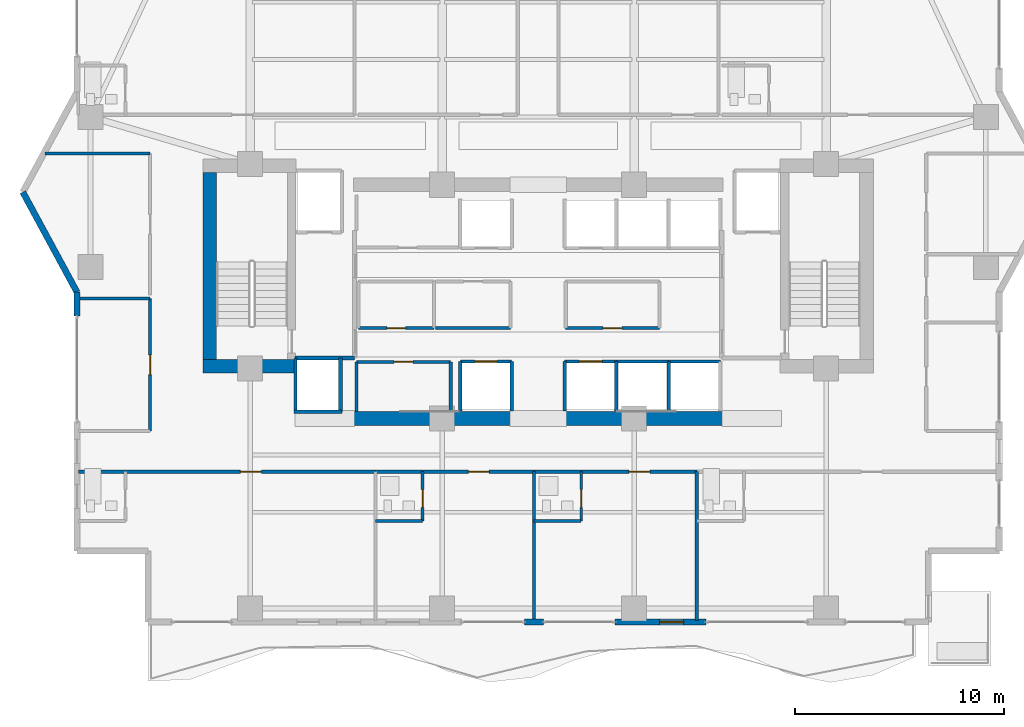
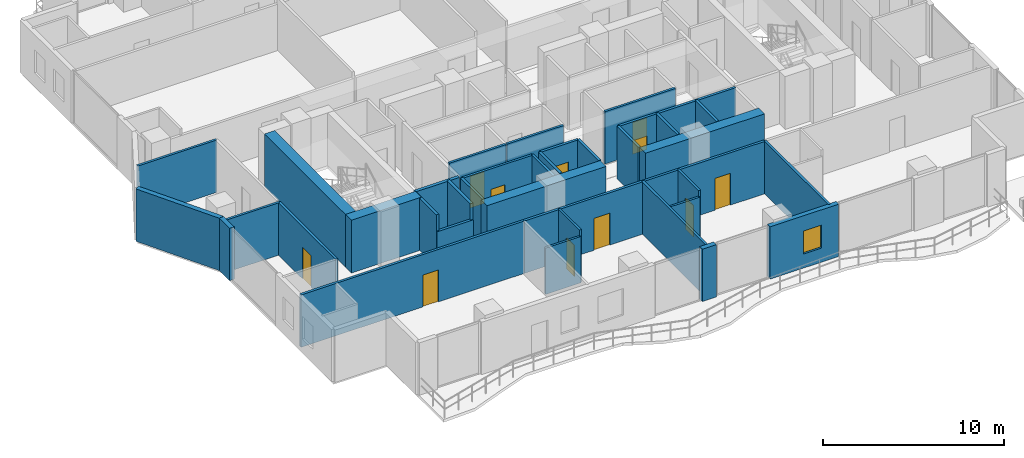
# One storey, part 24 of 32: 39 walls, 11 doors, 1 window, 12 openings.
"""IFC4 building model written with IfcOpenShell, lengths in metres."""

from ifc_helpers import new_model, si_unit, direction, frame, frame_2d, origin, place, context, subcontext, project, spatial, rectangle, extrude, material, layer, layer_set, type_object, element, fill, save


model = new_model("IFC4")

# Units and contexts
model_context = context("Model", 3, precision=1e-05, world=origin(), true_north=direction((0.0, 1.0)))
body_context = subcontext(model_context, "Body", "Model", "MODEL_VIEW")
ifc_project = project(units=[si_unit("LENGTHUNIT", "METRE"), si_unit("AREAUNIT", "SQUARE_METRE"), si_unit("VOLUMEUNIT", "CUBIC_METRE"), si_unit("PLANEANGLEUNIT", "RADIAN"), si_unit("MASSUNIT", "GRAM", prefix="KILO")], contexts=[model_context])

# Site, building, storey
site_placement = place(None, origin())
site = spatial("IfcSite", under=ifc_project, at=site_placement, CompositionType="ELEMENT")
building_placement = place(site_placement, origin())
building = spatial("IfcBuilding", under=site, at=building_placement, Name="Zuhayl Quay Hotel", CompositionType="ELEMENT")
storey_placement = place(building_placement, frame((0.0, 0.0, 203.64990234375)))
storey = spatial("IfcBuildingStorey", under=building, at=storey_placement, Name="L51", CompositionType="ELEMENT", Elevation=203.64990234375)

# Walls
ifc_material_1 = material(Name="Concrete C50/60", Category="concrete")
ifc_layer_1 = layer(ifc_material_1, 0.64990234375, Name="Concrete C50/60", Category="concrete")
ifc_layer_set_1 = layer_set([ifc_layer_1], Name="Concrete C50/60")
wall_type_1 = type_object("IfcWallType", Name="WL_CORE_650", PredefinedType="SHEAR", material=ifc_layer_set_1)
wall_1_placement = place(storey_placement, frame((-15.735107421875, 4.969970703125, 0.0), z_axis=(0.0, 0.0, 1.0), x_axis=(0.0, 1.0, 0.0)))
element("IfcWall", 1, at=wall_1_placement, inside=storey, type_object=wall_type_1, Name="L51 Core Shear Wall CW_W", PredefinedType="SHEAR", context=body_context, shape_type="SweptSolid", body=[
    extrude(rectangle(XDim=8.9599609375, YDim=0.64990234375, at=frame_2d((4.47998046875, 0.0))), origin(), (0.0, 0.0, 1.0), 3.56005859375),
])
wall_2_placement = place(storey_placement, frame((-16.06005859375, 4.64501953125, 0.0), z_axis=(0.0, 0.0, 1.0), x_axis=(1.0, 0.0, 0.0)))
element("IfcWall", 2, at=wall_2_placement, inside=storey, type_object=wall_type_1, Name="L51 Core Shear Wall CW_SW", PredefinedType="SHEAR", context=body_context, shape_type="SweptSolid", body=[
    extrude(rectangle(XDim=4.4599609375, YDim=0.64990234375, at=frame_2d((2.22998046875, 0.0))), origin(), (0.0, 0.0, 1.0), 3.56005859375),
])
for number, where, z_axis, x_axis, name in (
    (3, (-8.85009765625, 2.14990234375, 0.0), (0.0, 0.0, 1.0), (1.0, 0.0, 0.0), "L51 Core Shear Wall CW_SC_W"),
    (4, (1.25, 2.14990234375, 0.0), (0.0, 0.0, 1.0), (1.0, 0.0, 0.0), "L51 Core Shear Wall CW_SC_E"),
):
    element("IfcWall", number, at=place(storey_placement, frame(where, z_axis=z_axis, x_axis=x_axis)), inside=storey, type_object=wall_type_1, Name=name, PredefinedType="SHEAR", context=body_context, shape_type="SweptSolid", body=[
        extrude(rectangle(XDim=7.60009765625, YDim=0.64990234375, at=frame_2d((3.800048828125, 0.0))), origin(), (0.0, 0.0, 1.0), 3.530029296875),
    ])
ifc_material_2 = material(Name="Precast concrete C45/55", Category="concrete")
ifc_layer_2 = layer(ifc_material_2, 0.300048828125, Name="Precast concrete C45/55", Category="concrete")
ifc_layer_set_2 = layer_set([ifc_layer_2], Name="Precast concrete C45/55")
wall_type_2 = type_object("IfcWallType", Name="WL_EXT_300", PredefinedType="STANDARD", material=ifc_layer_set_2)
wall_3_placement = place(storey_placement, frame((-22.10009765625, 7.050048828125, 0.0), z_axis=(0.0, 0.0, 1.0), x_axis=(0.0, 1.0, 0.0)))
element("IfcWall", 5, at=wall_3_placement, inside=storey, type_object=wall_type_2, Name="L51 Exterior Precast Wall ENV_L51_E02_EW2", PredefinedType="STANDARD", context=body_context, shape_type="SweptSolid", body=[
    extrude(rectangle(XDim=1.14990234375, YDim=0.300048828125, at=frame_2d((0.574951171875, 0.0))), origin(), (0.0, 0.0, 1.0), 3.530029296875),
])
wall_4_placement = place(storey_placement, frame((-22.10009765625, 8.199951171875, 0.0), z_axis=(0.0, 0.0, 1.0), x_axis=(-0.476258655584, 0.879305233114, 0.0)))
element("IfcWall", 6, at=wall_4_placement, inside=storey, type_object=wall_type_2, Name="L51 Exterior Precast Wall ENV_L51_EW03", PredefinedType="STANDARD", context=body_context, shape_type="SweptSolid", body=[
    extrude(rectangle(XDim=5.458984375, YDim=0.300048828125, at=frame_2d((2.7294921875, 0.0))), origin(), (0.0, 0.0, 1.0), 3.530029296875),
])

# Wall, opening, window
wall_5_placement = place(storey_placement, frame((8.050048828125, -7.60009765625, 0.0), z_axis=(0.0, 0.0, 1.0), x_axis=(-1.0, 0.0, 0.0)))
wall_5 = element("IfcWall", 7, at=wall_5_placement, inside=storey, type_object=wall_type_2, Name="L51 Exterior Precast Wall ENV_L51_S_EW3", PredefinedType="STANDARD", context=body_context, shape_type="SweptSolid", body=[
    extrude(rectangle(XDim=4.3701171875, YDim=0.300048828125, at=frame_2d((2.18505859375, 0.0))), origin(), (0.0, 0.0, 1.0), 3.530029296875),
])
opening_1_placement = place(wall_5_placement, frame((1.0849609375, 0.0, 0.949951171875)))
opening_1 = element("IfcOpeningElement", 8, at=opening_1_placement, cuts=wall_5, Name="Opening W01N", PredefinedType="OPENING", context=body_context, shape_type="SweptSolid", body=[
    extrude(rectangle(XDim=1.14990234375, YDim=1.550048828125, at=frame_2d((0.574951171875, 0.77490234375))), frame((0.0, 0.159912109375, 0.0), z_axis=(0.0, -1.0, 0.0), x_axis=(1.0, 0.0, 0.0)), (0.0, 0.0, 1.0), 0.320068359375),
])
ifc_material_3 = material(Name="Dark Ceramic-Fritted Solar Glass", Category="glass")
window_type = type_object("IfcWindowType", Name="WN_NOTCH_1350", PartitioningType="SINGLE_PANEL", PredefinedType="WINDOW", material=ifc_material_3)
window_placement = place(opening_1_placement, origin())
window = element("IfcWindow", 9, at=window_placement, inside=storey, type_object=window_type, Name="L51 Operable Facade Window 3-1", OverallHeight=1.550048828125, OverallWidth=1.14990234375, PartitioningType="SINGLE_PANEL", PredefinedType="WINDOW", context=body_context, shape_type="SweptSolid", body=[
    extrude(rectangle(XDim=1.14990234375, YDim=1.550048828125, at=frame_2d((0.574951171875, 0.77490234375))), frame((0.0, 0.030029296875, 0.0), z_axis=(0.0, -1.0, 0.0), x_axis=(1.0, 0.0, 0.0)), (0.0, 0.0, 1.0), 0.06005859375),
])
fill(opening_1, window)

# Wall
wall_6_placement = place(storey_placement, frame((0.25, -7.60009765625, 0.0), z_axis=(0.0, 0.0, 1.0), x_axis=(-1.0, 0.0, 0.0)))
element("IfcWall", 10, at=wall_6_placement, inside=storey, type_object=wall_type_2, Name="L51 Exterior Precast Wall ENV_L51_S_EW4", PredefinedType="STANDARD", context=body_context, shape_type="SweptSolid", body=[
    extrude(rectangle(XDim=0.89990234375, YDim=0.300048828125, at=frame_2d((0.449951171875, 0.0))), origin(), (0.0, 0.0, 1.0), 3.530029296875),
])

# Wall, opening, door
ifc_material_4 = material(Name="Acoustic Gypsum Partition STC-58")
ifc_layer_3 = layer(ifc_material_4, 0.14990234375, Name="Acoustic Gypsum Partition STC-58")
ifc_layer_set_3 = layer_set([ifc_layer_3], Name="Acoustic Gypsum Partition STC-58")
wall_type_3 = type_object("IfcWallType", Name="WL_PART_150", PredefinedType="PARTITIONING", material=ifc_layer_set_3)
wall_7_placement = place(storey_placement, frame((-8.7099609375, 4.860107421875, 0.0), z_axis=(0.0, 0.0, 1.0), x_axis=(1.0, 0.0, 0.0)))
wall_7 = element("IfcWall", 11, at=wall_7_placement, inside=storey, type_object=wall_type_3, Name="L51 Partition IW_L51_FLP_S_N", PredefinedType="PARTITIONING", context=body_context, shape_type="SweptSolid", body=[
    extrude(rectangle(XDim=4.52001953125, YDim=0.14990234375, at=frame_2d((2.260009765625, 0.0))), origin(), (0.0, 0.0, 1.0), 3.530029296875),
])
opening_2_placement = place(wall_7_placement, frame((1.81005859375, 0.0, 0.0)))
opening_2 = element("IfcOpeningElement", 12, at=opening_2_placement, cuts=wall_7, Name="Opening D06", PredefinedType="OPENING", context=body_context, shape_type="SweptSolid", body=[
    extrude(rectangle(XDim=0.89990234375, YDim=2.14990234375, at=frame_2d((0.449951171875, 1.074951171875))), frame((0.0, 0.0849609375, 0.0), z_axis=(0.0, -1.0, 0.0), x_axis=(1.0, 0.0, 0.0)), (0.0, 0.0, 1.0), 0.169921875),
])
ifc_material_5 = material(Name="Steel ASTM A992 Grade 50", Category="steel")
door_type_1 = type_object("IfcDoorType", Name="DR_INT_900", OperationType="NOTDEFINED", PredefinedType="DOOR", material=ifc_material_5)
door_1_placement = place(opening_2_placement, origin())
door_1 = element("IfcDoor", 13, at=door_1_placement, inside=storey, type_object=door_type_1, Name="L51 Sommelier Closet Door", OperationType="SINGLE_SWING_RIGHT", OverallHeight=2.14990234375, OverallWidth=0.89990234375, PredefinedType="DOOR", context=body_context, shape_type="SweptSolid", body=[
    extrude(rectangle(XDim=0.89990234375, YDim=2.14990234375, at=frame_2d((0.449951171875, 1.074951171875))), frame((0.0, 0.02490234375, 0.0), z_axis=(0.0, -1.0, 0.0), x_axis=(1.0, 0.0, 0.0)), (0.0, 0.0, 1.0), 0.050048828125),
])
fill(opening_2, door_1)

wall_8_placement = place(storey_placement, frame((-8.610107421875, 6.47998046875, 0.0), z_axis=(0.0, 0.0, 1.0), x_axis=(1.0, 0.0, 0.0)))
wall_8 = element("IfcWall", 14, at=wall_8_placement, inside=storey, type_object=wall_type_3, Name="L51 Partition IW_L51_CORE_SW_S", PredefinedType="PARTITIONING", context=body_context, shape_type="SweptSolid", body=[
    extrude(rectangle(XDim=3.6201171875, YDim=0.14990234375, at=frame_2d((1.81005859375, 0.0))), origin(), (0.0, 0.0, 1.0), 3.530029296875),
])
opening_3_placement = place(wall_8_placement, frame((1.360107421875, 0.0, 0.0)))
opening_3 = element("IfcOpeningElement", 15, at=opening_3_placement, cuts=wall_8, Name="Opening D06", PredefinedType="OPENING", context=body_context, shape_type="SweptSolid", body=[
    extrude(rectangle(XDim=0.89990234375, YDim=2.14990234375, at=frame_2d((0.449951171875, 1.074951171875))), frame((0.0, 0.0849609375, 0.0), z_axis=(0.0, -1.0, 0.0), x_axis=(1.0, 0.0, 0.0)), (0.0, 0.0, 1.0), 0.169921875),
])
door_2_placement = place(opening_3_placement, origin())
door_2 = element("IfcDoor", 16, at=door_2_placement, inside=storey, type_object=door_type_1, Name="L51 Floor Switchgear Closet Door", OperationType="SINGLE_SWING_RIGHT", OverallHeight=2.14990234375, OverallWidth=0.89990234375, PredefinedType="DOOR", context=body_context, shape_type="SweptSolid", body=[
    extrude(rectangle(XDim=0.89990234375, YDim=2.14990234375, at=frame_2d((0.449951171875, 1.074951171875))), frame((0.0, 0.02490234375, 0.0), z_axis=(0.0, -1.0, 0.0), x_axis=(1.0, 0.0, 0.0)), (0.0, 0.0, 1.0), 0.050048828125),
])
fill(opening_3, door_2)

wall_9_placement = place(storey_placement, frame((1.320068359375, 6.47998046875, 0.0), z_axis=(0.0, 0.0, 1.0), x_axis=(1.0, 0.0, 0.0)))
wall_9 = element("IfcWall", 17, at=wall_9_placement, inside=storey, type_object=wall_type_3, Name="L51 Partition IW_L51_CORE_PN_S", PredefinedType="PARTITIONING", context=body_context, shape_type="SweptSolid", body=[
    extrude(rectangle(XDim=4.489990234375, YDim=0.14990234375, at=frame_2d((2.2451171875, 0.0))), origin(), (0.0, 0.0, 1.0), 3.530029296875),
])
opening_4_placement = place(wall_9_placement, frame((1.794921875, 0.0, 0.0)))
opening_4 = element("IfcOpeningElement", 18, at=opening_4_placement, cuts=wall_9, Name="Opening D06", PredefinedType="OPENING", context=body_context, shape_type="SweptSolid", body=[
    extrude(rectangle(XDim=0.89990234375, YDim=2.14990234375, at=frame_2d((0.449951171875, 1.074951171875))), frame((0.0, 0.0849609375, 0.0), z_axis=(0.0, -1.0, 0.0), x_axis=(1.0, 0.0, 0.0)), (0.0, 0.0, 1.0), 0.169921875),
])
door_3_placement = place(opening_4_placement, origin())
door_3 = element("IfcDoor", 19, at=door_3_placement, inside=storey, type_object=door_type_1, Name="L51 Core Ice and Pantry Room Door", OperationType="SINGLE_SWING_RIGHT", OverallHeight=2.14990234375, OverallWidth=0.89990234375, PredefinedType="DOOR", context=body_context, shape_type="SweptSolid", body=[
    extrude(rectangle(XDim=0.89990234375, YDim=2.14990234375, at=frame_2d((0.449951171875, 1.074951171875))), frame((0.0, 0.02490234375, 0.0), z_axis=(0.0, -1.0, 0.0), x_axis=(1.0, 0.0, 0.0)), (0.0, 0.0, 1.0), 0.050048828125),
])
fill(opening_4, door_3)

# Walls
for number, where, z_axis, x_axis, name in (
    (20, (-8.7099609375, 2.489990234375, 0.0), (0.0, 0.0, 1.0), (0.0, 1.0, 0.0), "L51 Partition IW_L51_FLP_S_W"),
    (21, (-4.18994140625, 2.489990234375, 0.0), (0.0, 0.0, 1.0), (0.0, 1.0, 0.0), "L51 Partition IW_L51_FLP_S_E"),
):
    element("IfcWall", number, at=place(storey_placement, frame(where, z_axis=z_axis, x_axis=x_axis)), inside=storey, type_object=wall_type_3, Name=name, PredefinedType="PARTITIONING", context=body_context, shape_type="SweptSolid", body=[
        extrude(rectangle(XDim=2.3701171875, YDim=0.14990234375, at=frame_2d((1.18505859375, 0.0))), origin(), (0.0, 0.0, 1.0), 3.530029296875),
    ])
wall_10_placement = place(storey_placement, frame((-4.929931640625, 6.47998046875, 0.0), z_axis=(0.0, 0.0, 1.0), x_axis=(1.0, 0.0, 0.0)))
element("IfcWall", 22, at=wall_10_placement, inside=storey, type_object=wall_type_3, Name="L51 Partition IW_L51_CORE_BM_S", PredefinedType="PARTITIONING", context=body_context, shape_type="SweptSolid", body=[
    extrude(rectangle(XDim=3.60986328125, YDim=0.14990234375, at=frame_2d((1.804931640625, 0.0))), origin(), (0.0, 0.0, 1.0), 3.530029296875),
])
for number, where, z_axis, x_axis, name in (
    (23, (-0.199951171875, -7.52001953125, 0.0), (0.0, 0.0, 1.0), (0.0, 1.0, 0.0), "L51 Partition IW_L51_SU02_E"),
    (24, (7.60009765625, -7.52001953125, 0.0), (0.0, 0.0, 1.0), (0.0, 1.0, 0.0), "L51 Partition IW_L51_SU03_E"),
):
    element("IfcWall", number, at=place(storey_placement, frame(where, z_axis=z_axis, x_axis=x_axis)), inside=storey, type_object=wall_type_3, Name=name, PredefinedType="PARTITIONING", context=body_context, shape_type="SweptSolid", body=[
        extrude(rectangle(XDim=7.1201171875, YDim=0.14990234375, at=frame_2d((3.56005859375, 0.0))), origin(), (0.0, 0.0, 1.0), 3.530029296875),
    ])
wall_11_placement = place(storey_placement, frame((-22.0400390625, 7.89990234375, 0.0), z_axis=(0.0, 0.0, 1.0), x_axis=(1.0, 0.0, 0.0)))
element("IfcWall", 25, at=wall_11_placement, inside=storey, type_object=wall_type_3, Name="L51 Partition IW_L51_WPROW_1_N", PredefinedType="PARTITIONING", context=body_context, shape_type="SweptSolid", body=[
    extrude(rectangle(XDim=3.43994140625, YDim=0.14990234375, at=frame_2d((1.719970703125, 0.0))), origin(), (0.0, 0.0, 1.0), 3.530029296875),
])
wall_12_placement = place(storey_placement, frame((-23.637939453125, 14.85009765625, 0.0), z_axis=(0.0, 0.0, 1.0), x_axis=(1.0, 0.0, 0.0)))
element("IfcWall", 26, at=wall_12_placement, inside=storey, type_object=wall_type_3, Name="L51 Partition IW_L51_WPROW_2_N", PredefinedType="PARTITIONING", context=body_context, shape_type="SweptSolid", body=[
    extrude(rectangle(XDim=5.037841796875, YDim=0.14990234375, at=frame_2d((2.51904296875, 0.0))), origin(), (0.0, 0.0, 1.0), 3.530029296875),
])

# Wall, opening, door
ifc_layer_4 = layer(ifc_material_4, 0.159912109375, Name="Acoustic Gypsum Partition STC-58")
ifc_layer_set_4 = layer_set([ifc_layer_4], Name="Acoustic Gypsum Partition STC-58")
wall_type_4 = type_object("IfcWallType", Name="WL_PART_CORR_160", PredefinedType="PARTITIONING", material=ifc_layer_set_4)
wall_13_placement = place(storey_placement, frame((-22.0400390625, -0.39990234375, 0.0), z_axis=(0.0, 0.0, 1.0), x_axis=(1.0, 0.0, 0.0)))
wall_13 = element("IfcWall", 27, at=wall_13_placement, inside=storey, type_object=wall_type_4, Name="L51 Partition IW_L51_SU01_COR", PredefinedType="PARTITIONING", context=body_context, shape_type="SweptSolid", body=[
    extrude(rectangle(XDim=14.239990234375, YDim=0.159912109375, at=frame_2d((7.1201171875, 0.0))), origin(), (0.0, 0.0, 1.0), 3.530029296875),
])
opening_5_placement = place(wall_13_placement, frame((7.77001953125, 0.0, 0.0)))
opening_5 = element("IfcOpeningElement", 28, at=opening_5_placement, cuts=wall_13, Name="Opening D03L", PredefinedType="OPENING", context=body_context, shape_type="SweptSolid", body=[
    extrude(rectangle(XDim=1.0, YDim=2.14990234375, at=frame_2d((0.5, 1.074951171875))), frame((0.0, 0.08984375, 0.0), z_axis=(0.0, -1.0, 0.0), x_axis=(1.0, 0.0, 0.0)), (0.0, 0.0, 1.0), 0.179931640625),
])
ifc_material_6 = material(Name="Solid Walnut Acoustic Fire Door")
door_type_2 = type_object("IfcDoorType", Name="DR_SUITE_1000", OperationType="NOTDEFINED", PredefinedType="DOOR", material=ifc_material_6)
door_4_placement = place(opening_5_placement, origin())
door_4 = element("IfcDoor", 29, at=door_4_placement, inside=storey, type_object=door_type_2, Name="L51 City-View Junior Suite L51-01 Entrance Door", OperationType="SINGLE_SWING_RIGHT", OverallHeight=2.14990234375, OverallWidth=1.0, PredefinedType="DOOR", context=body_context, shape_type="SweptSolid", body=[
    extrude(rectangle(XDim=1.0, YDim=2.14990234375, at=frame_2d((0.5, 1.074951171875))), frame((0.0, 0.02490234375, 0.0), z_axis=(0.0, -1.0, 0.0), x_axis=(1.0, 0.0, 0.0)), (0.0, 0.0, 1.0), 0.050048828125),
])
fill(opening_5, door_4)

wall_14_placement = place(storey_placement, frame((-7.800048828125, -0.39990234375, 0.0), z_axis=(0.0, 0.0, 1.0), x_axis=(1.0, 0.0, 0.0)))
wall_14 = element("IfcWall", 30, at=wall_14_placement, inside=storey, type_object=wall_type_4, Name="L51 Partition IW_L51_SU02_COR", PredefinedType="PARTITIONING", context=body_context, shape_type="SweptSolid", body=[
    extrude(rectangle(XDim=7.60009765625, YDim=0.159912109375, at=frame_2d((3.800048828125, 0.0))), origin(), (0.0, 0.0, 1.0), 3.530029296875),
])
opening_6_placement = place(wall_14_placement, frame((4.449951171875, 0.0, 0.0)))
opening_6 = element("IfcOpeningElement", 31, at=opening_6_placement, cuts=wall_14, Name="Opening D03L", PredefinedType="OPENING", context=body_context, shape_type="SweptSolid", body=[
    extrude(rectangle(XDim=1.0, YDim=2.14990234375, at=frame_2d((0.5, 1.074951171875))), frame((0.0, 0.08984375, 0.0), z_axis=(0.0, -1.0, 0.0), x_axis=(1.0, 0.0, 0.0)), (0.0, 0.0, 1.0), 0.179931640625),
])
door_5_placement = place(opening_6_placement, origin())
door_5 = element("IfcDoor", 32, at=door_5_placement, inside=storey, type_object=door_type_2, Name="L51 City-View Junior Suite L51-02 Entrance Door", OperationType="SINGLE_SWING_RIGHT", OverallHeight=2.14990234375, OverallWidth=1.0, PredefinedType="DOOR", context=body_context, shape_type="SweptSolid", body=[
    extrude(rectangle(XDim=1.0, YDim=2.14990234375, at=frame_2d((0.5, 1.074951171875))), frame((0.0, 0.02490234375, 0.0), z_axis=(0.0, -1.0, 0.0), x_axis=(1.0, 0.0, 0.0)), (0.0, 0.0, 1.0), 0.050048828125),
])
fill(opening_6, door_5)

wall_15_placement = place(storey_placement, frame((-0.199951171875, -0.39990234375, 0.0), z_axis=(0.0, 0.0, 1.0), x_axis=(1.0, 0.0, 0.0)))
wall_15 = element("IfcWall", 33, at=wall_15_placement, inside=storey, type_object=wall_type_4, Name="L51 Partition IW_L51_SU03_COR", PredefinedType="PARTITIONING", context=body_context, shape_type="SweptSolid", body=[
    extrude(rectangle(XDim=7.800048828125, YDim=0.159912109375, at=frame_2d((3.89990234375, 0.0))), origin(), (0.0, 0.0, 1.0), 3.530029296875),
])
opening_7_placement = place(wall_15_placement, frame((4.550048828125, 0.0, 0.0)))
opening_7 = element("IfcOpeningElement", 34, at=opening_7_placement, cuts=wall_15, Name="Opening D03L", PredefinedType="OPENING", context=body_context, shape_type="SweptSolid", body=[
    extrude(rectangle(XDim=1.0, YDim=2.14990234375, at=frame_2d((0.5, 1.074951171875))), frame((0.0, 0.08984375, 0.0), z_axis=(0.0, -1.0, 0.0), x_axis=(1.0, 0.0, 0.0)), (0.0, 0.0, 1.0), 0.179931640625),
])
door_6_placement = place(opening_7_placement, origin())
door_6 = element("IfcDoor", 35, at=door_6_placement, inside=storey, type_object=door_type_2, Name="L51 City-View Junior Suite L51-03 Entrance Door", OperationType="SINGLE_SWING_RIGHT", OverallHeight=2.14990234375, OverallWidth=1.0, PredefinedType="DOOR", context=body_context, shape_type="SweptSolid", body=[
    extrude(rectangle(XDim=1.0, YDim=2.14990234375, at=frame_2d((0.5, 1.074951171875))), frame((0.0, 0.02490234375, 0.0), z_axis=(0.0, -1.0, 0.0), x_axis=(1.0, 0.0, 0.0)), (0.0, 0.0, 1.0), 0.050048828125),
])
fill(opening_7, door_6)

wall_16_placement = place(storey_placement, frame((-18.60009765625, 1.550048828125, 0.0), z_axis=(0.0, 0.0, 1.0), x_axis=(0.0, 1.0, 0.0)))
wall_16 = element("IfcWall", 36, at=wall_16_placement, inside=storey, type_object=wall_type_4, Name="L51 Partition IW_L51_WPROW_1_E", PredefinedType="PARTITIONING", context=body_context, shape_type="SweptSolid", body=[
    extrude(rectangle(XDim=6.349853515625, YDim=0.159912109375, at=frame_2d((3.1748046875, 0.0))), origin(), (0.0, 0.0, 1.0), 3.530029296875),
])
opening_8_placement = place(wall_16_placement, frame((2.699951171875, 0.0, 0.0)))
opening_8 = element("IfcOpeningElement", 37, at=opening_8_placement, cuts=wall_16, Name="Opening D03", PredefinedType="OPENING", context=body_context, shape_type="SweptSolid", body=[
    extrude(rectangle(XDim=0.949951171875, YDim=2.14990234375, at=frame_2d((0.47509765625, 1.074951171875))), frame((0.0, 0.08984375, 0.0), z_axis=(0.0, -1.0, 0.0), x_axis=(1.0, 0.0, 0.0)), (0.0, 0.0, 1.0), 0.179931640625),
])
door_type_3 = type_object("IfcDoorType", Name="DR_SUITE_950", OperationType="NOTDEFINED", PredefinedType="DOOR", material=ifc_material_6)
door_7_placement = place(opening_8_placement, origin())
door_7 = element("IfcDoor", 38, at=door_7_placement, inside=storey, type_object=door_type_3, Name="L51 West Prow Office L51 Door", OperationType="SINGLE_SWING_RIGHT", OverallHeight=2.14990234375, OverallWidth=0.949951171875, PredefinedType="DOOR", context=body_context, shape_type="SweptSolid", body=[
    extrude(rectangle(XDim=0.949951171875, YDim=2.14990234375, at=frame_2d((0.47509765625, 1.074951171875))), frame((0.0, 0.02490234375, 0.0), z_axis=(0.0, -1.0, 0.0), x_axis=(1.0, 0.0, 0.0)), (0.0, 0.0, 1.0), 0.050048828125),
])
fill(opening_8, door_7)

ifc_material_7 = material(Name="Moisture-Resistant Sanitarychase Gypsum")
ifc_layer_5 = layer(ifc_material_7, 0.135009765625, Name="Moisture-Resistant Sanitarychase Gypsum")
ifc_layer_set_5 = layer_set([ifc_layer_5], Name="Moisture-Resistant Sanitarychase Gypsum")
wall_type_5 = type_object("IfcWallType", Name="WL_PART_PLUMB_150", PredefinedType="PLUMBINGWALL", material=ifc_layer_set_5)
wall_17_placement = place(storey_placement, frame((-5.5400390625, -2.760009765625, 0.0), z_axis=(0.0, 0.0, 1.0), x_axis=(0.0, 1.0, 0.0)))
wall_17 = element("IfcWall", 39, at=wall_17_placement, inside=storey, type_object=wall_type_5, Name="L51 Partition IW_L51_SU02_BE", PredefinedType="PLUMBINGWALL", context=body_context, shape_type="SweptSolid", body=[
    extrude(rectangle(XDim=2.360107421875, YDim=0.135009765625, at=frame_2d((1.18017578125, 0.0))), origin(), (0.0, 0.0, 1.0), 3.530029296875),
])
opening_9_placement = place(wall_17_placement, frame((0.64990234375, 0.0, 0.0)))
opening_9 = element("IfcOpeningElement", 40, at=opening_9_placement, cuts=wall_17, Name="Opening D04", PredefinedType="OPENING", context=body_context, shape_type="SweptSolid", body=[
    extrude(rectangle(XDim=0.85009765625, YDim=2.10009765625, at=frame_2d((0.425048828125, 1.050048828125))), frame((0.0, 0.077392578125, 0.0), z_axis=(0.0, -1.0, 0.0), x_axis=(1.0, 0.0, 0.0)), (0.0, 0.0, 1.0), 0.155029296875),
])
ifc_material_8 = material(Name="Moisture-Resistant Walnut Veneer")
door_type_4 = type_object("IfcDoorType", Name="DR_BATH_850", OperationType="NOTDEFINED", PredefinedType="DOOR", material=ifc_material_8)
door_8_placement = place(opening_9_placement, origin())
door_8 = element("IfcDoor", 41, at=door_8_placement, inside=storey, type_object=door_type_4, Name="L51 City-View Junior Suite L51-02 En-Suite Door", OperationType="SINGLE_SWING_LEFT", OverallHeight=2.10009765625, OverallWidth=0.85009765625, PredefinedType="DOOR", context=body_context, shape_type="SweptSolid", body=[
    extrude(rectangle(XDim=0.85009765625, YDim=2.10009765625, at=frame_2d((0.425048828125, 1.050048828125))), frame((0.0, 0.02490234375, 0.0), z_axis=(0.0, -1.0, 0.0), x_axis=(1.0, 0.0, 0.0)), (0.0, 0.0, 1.0), 0.050048828125),
])
fill(opening_9, door_8)

wall_18_placement = place(storey_placement, frame((2.06005859375, -2.760009765625, 0.0), z_axis=(0.0, 0.0, 1.0), x_axis=(0.0, 1.0, 0.0)))
wall_18 = element("IfcWall", 42, at=wall_18_placement, inside=storey, type_object=wall_type_5, Name="L51 Partition IW_L51_SU03_BE", PredefinedType="PLUMBINGWALL", context=body_context, shape_type="SweptSolid", body=[
    extrude(rectangle(XDim=2.360107421875, YDim=0.135009765625, at=frame_2d((1.18017578125, 0.0))), origin(), (0.0, 0.0, 1.0), 3.530029296875),
])
opening_10_placement = place(wall_18_placement, frame((0.64990234375, 0.0, 0.0)))
opening_10 = element("IfcOpeningElement", 43, at=opening_10_placement, cuts=wall_18, Name="Opening D04", PredefinedType="OPENING", context=body_context, shape_type="SweptSolid", body=[
    extrude(rectangle(XDim=0.85009765625, YDim=2.10009765625, at=frame_2d((0.425048828125, 1.050048828125))), frame((0.0, 0.077392578125, 0.0), z_axis=(0.0, -1.0, 0.0), x_axis=(1.0, 0.0, 0.0)), (0.0, 0.0, 1.0), 0.155029296875),
])
door_9_placement = place(opening_10_placement, origin())
door_9 = element("IfcDoor", 44, at=door_9_placement, inside=storey, type_object=door_type_4, Name="L51 City-View Junior Suite L51-03 En-Suite Door", OperationType="SINGLE_SWING_LEFT", OverallHeight=2.10009765625, OverallWidth=0.85009765625, PredefinedType="DOOR", context=body_context, shape_type="SweptSolid", body=[
    extrude(rectangle(XDim=0.85009765625, YDim=2.10009765625, at=frame_2d((0.425048828125, 1.050048828125))), frame((0.0, 0.02490234375, 0.0), z_axis=(0.0, -1.0, 0.0), x_axis=(1.0, 0.0, 0.0)), (0.0, 0.0, 1.0), 0.050048828125),
])
fill(opening_10, door_9)

# Walls
for number, where, z_axis, x_axis, name in (
    (45, (-7.800048828125, -2.760009765625, 0.0), (0.0, 0.0, 1.0), (1.0, 0.0, 0.0), "L51 Partition IW_L51_SU02_BS"),
    (46, (-0.199951171875, -2.760009765625, 0.0), (0.0, 0.0, 1.0), (1.0, 0.0, 0.0), "L51 Partition IW_L51_SU03_BS"),
):
    element("IfcWall", number, at=place(storey_placement, frame(where, z_axis=z_axis, x_axis=x_axis)), inside=storey, type_object=wall_type_5, Name=name, PredefinedType="PLUMBINGWALL", context=body_context, shape_type="SweptSolid", body=[
        extrude(rectangle(XDim=2.260009765625, YDim=0.135009765625, at=frame_2d((1.1298828125, 0.0))), origin(), (0.0, 0.0, 1.0), 3.1240234375),
    ])

# Wall, opening, door
ifc_material_9 = material(Name="Gypsum Fireboard Assembly EI-90")
ifc_layer_6 = layer(ifc_material_9, 0.1650390625, Name="Gypsum Fireboard Assembly EI-90")
ifc_layer_set_6 = layer_set([ifc_layer_6], Name="Gypsum Fireboard Assembly EI-90")
wall_type_6 = type_object("IfcWallType", Name="WL_PART_SHAFT_160", PredefinedType="PARTITIONING", material=ifc_layer_set_6)
wall_19_placement = place(storey_placement, frame((-3.72998046875, 4.8798828125, 0.0), z_axis=(0.0, 0.0, 1.0), x_axis=(1.0, 0.0, 0.0)))
wall_19 = element("IfcWall", 47, at=wall_19_placement, inside=storey, type_object=wall_type_6, Name="L51 Partition IW_L51_SH_MP1_F", PredefinedType="PARTITIONING", context=body_context, shape_type="SweptSolid", body=[
    extrude(rectangle(XDim=2.4599609375, YDim=0.1650390625, at=frame_2d((1.22998046875, 0.0))), origin(), (0.0, 0.0, 1.0), 3.530029296875),
])
opening_11_placement = place(wall_19_placement, frame((0.679931640625, 0.0, 0.0)))
opening_11 = element("IfcOpeningElement", 48, at=opening_11_placement, cuts=wall_19, Name="Opening LD1", PredefinedType="OPENING", context=body_context, shape_type="SweptSolid", body=[
    extrude(rectangle(XDim=1.10009765625, YDim=2.25, at=frame_2d((0.550048828125, 1.125))), frame((0.0, 0.092529296875, 0.0), z_axis=(0.0, -1.0, 0.0), x_axis=(1.0, 0.0, 0.0)), (0.0, 0.0, 1.0), 0.18505859375),
])
ifc_material_10 = material(Name="Brushed Stainless Steel", Category="steel")
door_type_5 = type_object("IfcDoorType", Name="DR_LIFT_PASS_1100", OperationType="SLIDING_TO_LEFT", PredefinedType="DOOR", material=ifc_material_10)
door_10_placement = place(opening_11_placement, origin())
door_10 = element("IfcDoor", 49, at=door_10_placement, inside=storey, type_object=door_type_5, Name="L51 Lift MP1 Sliding Landing Door", OperationType="SLIDING_TO_LEFT", OverallHeight=2.25, OverallWidth=1.10009765625, PredefinedType="DOOR", context=body_context, shape_type="SweptSolid", body=[
    extrude(rectangle(XDim=1.10009765625, YDim=2.25, at=frame_2d((0.550048828125, 1.125))), frame((0.0, 0.02490234375, 0.0), z_axis=(0.0, -1.0, 0.0), x_axis=(1.0, 0.0, 0.0)), (0.0, 0.0, 1.0), 0.050048828125),
])
fill(opening_11, door_10)

wall_20_placement = place(storey_placement, frame((1.27001953125, 4.8798828125, 0.0), z_axis=(0.0, 0.0, 1.0), x_axis=(1.0, 0.0, 0.0)))
wall_20 = element("IfcWall", 50, at=wall_20_placement, inside=storey, type_object=wall_type_6, Name="L51 Partition IW_L51_SH_MP2_F", PredefinedType="PARTITIONING", context=body_context, shape_type="SweptSolid", body=[
    extrude(rectangle(XDim=2.47998046875, YDim=0.1650390625, at=frame_2d((1.239990234375, 0.0))), origin(), (0.0, 0.0, 1.0), 3.530029296875),
])
opening_12_placement = place(wall_20_placement, frame((0.68994140625, 0.0, 0.0)))
opening_12 = element("IfcOpeningElement", 51, at=opening_12_placement, cuts=wall_20, Name="Opening LD1", PredefinedType="OPENING", context=body_context, shape_type="SweptSolid", body=[
    extrude(rectangle(XDim=1.10009765625, YDim=2.25, at=frame_2d((0.550048828125, 1.125))), frame((0.0, 0.092529296875, 0.0), z_axis=(0.0, -1.0, 0.0), x_axis=(1.0, 0.0, 0.0)), (0.0, 0.0, 1.0), 0.18505859375),
])
door_11_placement = place(opening_12_placement, origin())
door_11 = element("IfcDoor", 52, at=door_11_placement, inside=storey, type_object=door_type_5, Name="L51 Lift MP2 Sliding Landing Door", OperationType="SLIDING_TO_LEFT", OverallHeight=2.25, OverallWidth=1.10009765625, PredefinedType="DOOR", context=body_context, shape_type="SweptSolid", body=[
    extrude(rectangle(XDim=1.10009765625, YDim=2.25, at=frame_2d((0.550048828125, 1.125))), frame((0.0, 0.02490234375, 0.0), z_axis=(0.0, -1.0, 0.0), x_axis=(1.0, 0.0, 0.0)), (0.0, 0.0, 1.0), 0.050048828125),
])
fill(opening_12, door_11)

# Walls
for number, where, z_axis, x_axis, name in (
    (53, (-3.72998046875, 2.52001953125, 0.0), (0.0, 0.0, 1.0), (0.0, 1.0, 0.0), "L51 Partition IW_L51_SH_MP1_W"),
    (54, (-1.27001953125, 2.52001953125, 0.0), (0.0, 0.0, 1.0), (0.0, 1.0, 0.0), "L51 Partition IW_L51_SH_MP1_E"),
    (55, (1.27001953125, 2.52001953125, 0.0), (0.0, 0.0, 1.0), (0.0, 1.0, 0.0), "L51 Partition IW_L51_SH_MP2_W"),
    (56, (3.75, 2.52001953125, 0.0), (0.0, 0.0, 1.0), (0.0, 1.0, 0.0), "L51 Partition IW_L51_SH_MP2_E"),
):
    element("IfcWall", number, at=place(storey_placement, frame(where, z_axis=z_axis, x_axis=x_axis)), inside=storey, type_object=wall_type_6, Name=name, PredefinedType="PARTITIONING", context=body_context, shape_type="SweptSolid", body=[
        extrude(rectangle(XDim=2.35986328125, YDim=0.1650390625, at=frame_2d((1.179931640625, 0.0))), origin(), (0.0, 0.0, 1.0), 3.530029296875),
    ])
wall_21_placement = place(storey_placement, frame((3.75, 4.8798828125, 0.0), z_axis=(0.0, 0.0, 1.0), x_axis=(1.0, 0.0, 0.0)))
element("IfcWall", 57, at=wall_21_placement, inside=storey, type_object=wall_type_6, Name="L51 Partition IW_L51_SH_HP1_F", PredefinedType="PARTITIONING", context=body_context, shape_type="SweptSolid", body=[
    extrude(rectangle(XDim=2.5, YDim=0.1650390625, at=frame_2d((1.25, 0.0))), origin(), (0.0, 0.0, 1.0), 3.530029296875),
])
wall_22_placement = place(storey_placement, frame((6.25, 2.52001953125, 0.0), z_axis=(0.0, 0.0, 1.0), x_axis=(0.0, 1.0, 0.0)))
element("IfcWall", 58, at=wall_22_placement, inside=storey, type_object=wall_type_6, Name="L51 Partition IW_L51_SH_HP1_E", PredefinedType="PARTITIONING", context=body_context, shape_type="SweptSolid", body=[
    extrude(rectangle(XDim=2.35986328125, YDim=0.1650390625, at=frame_2d((1.179931640625, 0.0))), origin(), (0.0, 0.0, 1.0), 3.530029296875),
])
wall_23_placement = place(storey_placement, frame((6.25, 4.8798828125, 0.0), z_axis=(0.0, 0.0, 1.0), x_axis=(1.0, 0.0, 0.0)))
element("IfcWall", 59, at=wall_23_placement, inside=storey, type_object=wall_type_6, Name="L51 Partition IW_L51_SH_HP2_F", PredefinedType="PARTITIONING", context=body_context, shape_type="SweptSolid", body=[
    extrude(rectangle(XDim=2.47998046875, YDim=0.1650390625, at=frame_2d((1.239990234375, 0.0))), origin(), (0.0, 0.0, 1.0), 3.530029296875),
])
wall_24_placement = place(storey_placement, frame((-11.6298828125, 2.469970703125, 0.0), z_axis=(0.0, 0.0, 1.0), x_axis=(0.0, 1.0, 0.0)))
element("IfcWall", 60, at=wall_24_placement, inside=storey, type_object=wall_type_6, Name="L51 Partition IW_L51_RISER_W", PredefinedType="PARTITIONING", context=body_context, shape_type="SweptSolid", body=[
    extrude(rectangle(XDim=2.580078125, YDim=0.1650390625, at=frame_2d((1.2900390625, 0.0))), origin(), (0.0, 0.0, 1.0), 3.530029296875),
])
wall_25_placement = place(storey_placement, frame((-11.7099609375, 2.469970703125, 0.0), z_axis=(0.0, 0.0, 1.0), x_axis=(1.0, 0.0, 0.0)))
element("IfcWall", 61, at=wall_25_placement, inside=storey, type_object=wall_type_6, Name="L51 Partition IW_L51_RISER_S", PredefinedType="PARTITIONING", context=body_context, shape_type="SweptSolid", body=[
    extrude(rectangle(XDim=2.31005859375, YDim=0.1650390625, at=frame_2d((1.155029296875, 0.0))), origin(), (0.0, 0.0, 1.0), 2.43017578125),
])
ifc_layer_7 = layer(ifc_material_9, 0.179931640625, Name="Gypsum Fireboard Assembly EI-90")
ifc_layer_set_7 = layer_set([ifc_layer_7], Name="Gypsum Fireboard Assembly EI-90")
wall_type_7 = type_object("IfcWallType", Name="WL_PART_SHAFT_180", PredefinedType="PARTITIONING", material=ifc_layer_set_7)
wall_26_placement = place(storey_placement, frame((-9.469970703125, 2.449951171875, 0.0), z_axis=(0.0, 0.0, 1.0), x_axis=(0.0, 1.0, 0.0)))
element("IfcWall", 62, at=wall_26_placement, inside=storey, type_object=wall_type_7, Name="L51 Partition IW_L51_RISER_E", PredefinedType="PARTITIONING", context=body_context, shape_type="SweptSolid", body=[
    extrude(rectangle(XDim=2.60009765625, YDim=0.179931640625, at=frame_2d((1.300048828125, 0.0))), origin(), (0.0, 0.0, 1.0), 3.530029296875),
])
ifc_material_11 = material(Name="Gypsum Fireboard Assembly EI-120")
ifc_layer_8 = layer(ifc_material_11, 0.199951171875, Name="Gypsum Fireboard Assembly EI-120")
ifc_layer_set_8 = layer_set([ifc_layer_8], Name="Gypsum Fireboard Assembly EI-120")
wall_type_8 = type_object("IfcWallType", Name="WL_PART_SHAFT_200", PredefinedType="PARTITIONING", material=ifc_layer_set_8)
wall_27_placement = place(storey_placement, frame((-11.64990234375, 5.050048828125, 0.0), z_axis=(0.0, 0.0, 1.0), x_axis=(1.0, 0.0, 0.0)))
element("IfcWall", 63, at=wall_27_placement, inside=storey, type_object=wall_type_8, Name="L51 Partition IW_L51_FSAE_W_S", PredefinedType="PARTITIONING", context=body_context, shape_type="SweptSolid", body=[
    extrude(rectangle(XDim=2.849853515625, YDim=0.199951171875, at=frame_2d((1.4248046875, 0.0))), origin(), (0.0, 0.0, 1.0), 3.530029296875),
])

save(model, "model.ifc")
